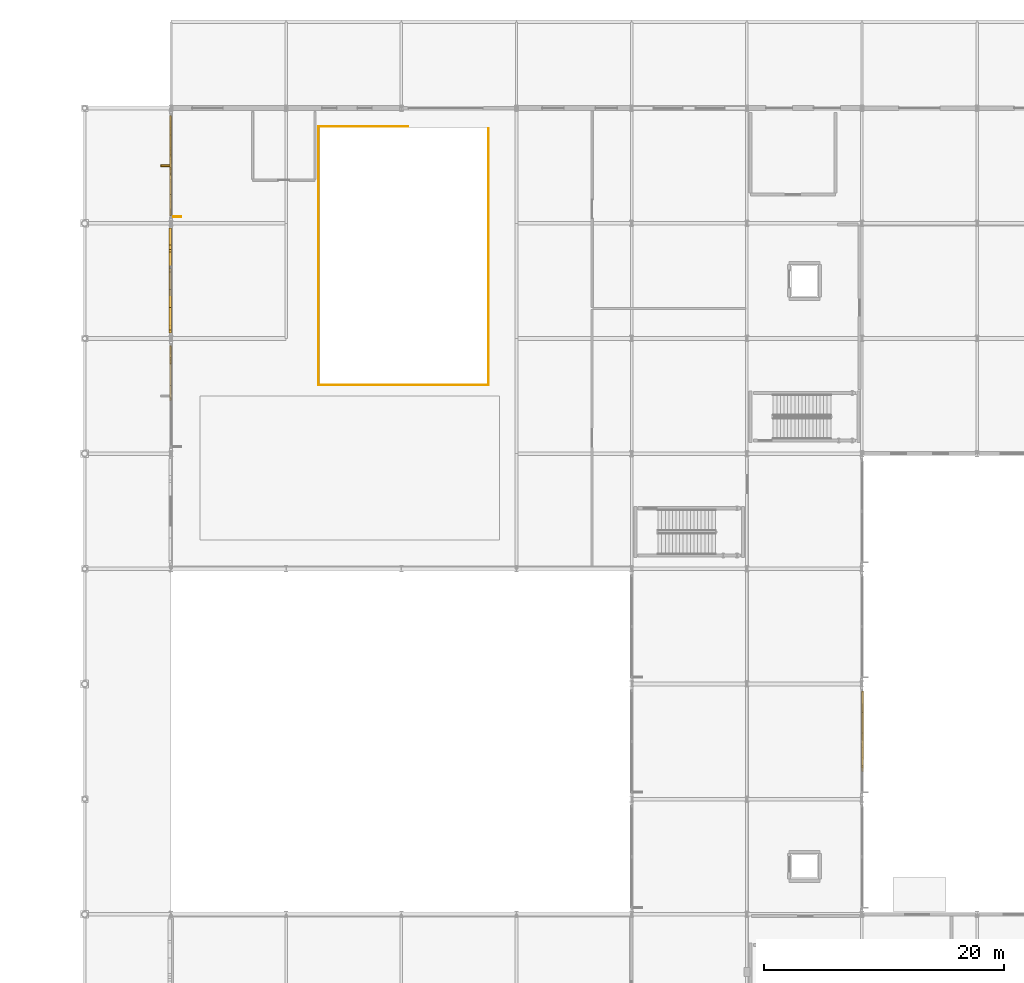
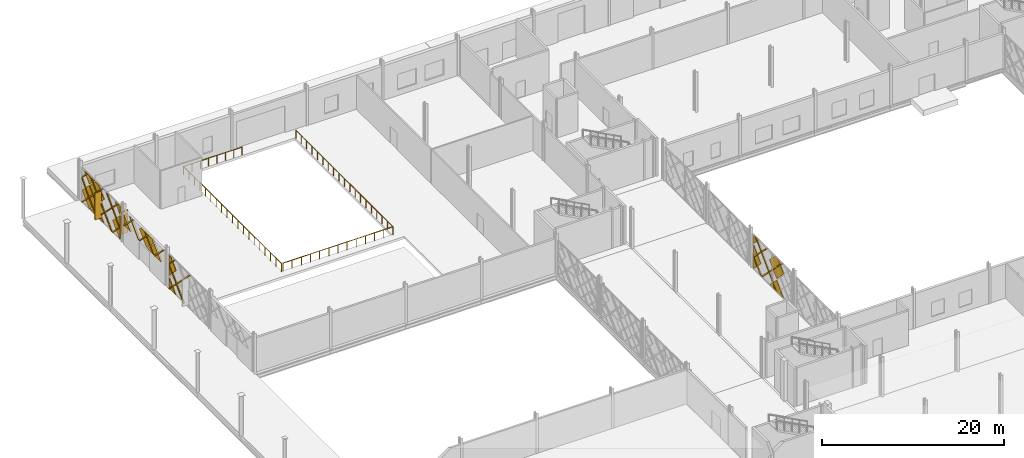
# One storey, part 75 of 84: 35 coverings, 2 railings, 1 shading device.
"""IFC4 building model written with IfcOpenShell, lengths in metres."""

from ifc_helpers import new_model, si_unit, direction, frame, origin, origin_2d, place, context, subcontext, project, spatial, polyline, rectangle, circle, outline, extrude, material, layer, layer_set, type_object, element, save


model = new_model("IFC4")

# Units and contexts
model_context = context("Model", 3, precision=1e-05, world=origin(), true_north=direction((0.0, 1.0)))
body_context = subcontext(model_context, "Body", "Model", "MODEL_VIEW")
ifc_project = project(units=[si_unit("LENGTHUNIT", "METRE"), si_unit("AREAUNIT", "SQUARE_METRE"), si_unit("VOLUMEUNIT", "CUBIC_METRE"), si_unit("PLANEANGLEUNIT", "RADIAN"), si_unit("MASSUNIT", "GRAM", prefix="KILO")], contexts=[model_context])

# Site, building, storey
site_placement = place(None, origin())
site = spatial("IfcSite", under=ifc_project, at=site_placement, CompositionType="ELEMENT")
building_placement = place(site_placement, origin())
building = spatial("IfcBuilding", under=site, at=building_placement, Name="Zevrakil Square Congress Hotel", CompositionType="ELEMENT")
storey_placement = place(building_placement, origin())
storey = spatial("IfcBuildingStorey", under=building, at=storey_placement, Name="L01", CompositionType="ELEMENT", Elevation=0.0)

# Coverings
ifc_material_1 = material(Name="Architectural White Fibre-C GRC", Category="concrete")
ifc_layer_1 = layer(ifc_material_1, 0.06494140625)
ifc_layer_set_1 = layer_set([ifc_layer_1], Name="Architectural White Fibre-C GRC")
covering_type_1 = type_object("IfcCoveringType", Name="COV-DIA-WHITE", PredefinedType="CLADDING", material=ifc_layer_set_1)
covering_1_placement = place(storey_placement, frame((7.10498046875, 91.570068359375, 0.080078125), z_axis=(-0.999999760125, 0.0, 0.000692640526), x_axis=(0.0, 1.0, 0.0)))
element("IfcCovering", 1, at=covering_1_placement, inside=storey, type_object=covering_type_1, Name="L01 45-degree white GRC diamond facade cassette 393", PredefinedType="CLADDING", context=body_context, shape_type="SweptSolid", body=[
    extrude(outline(polyline([(0.0, 0.0), (1.409912109375, 0.0), (1.409912109375, -1.4099124475784228), (0.0, 0.0)])), origin(), (0.0, 0.0, -1.0), 0.1201171875),
])
covering_2_placement = place(storey_placement, frame((7.10693359375, 91.489990234375, 3.360107421875), z_axis=(-0.999999845493, 5.1422077e-05, 0.000553507233), x_axis=(-0.00035502785, 0.707106738874, -0.707106734372)))
element("IfcCovering", 2, at=covering_2_placement, inside=storey, type_object=covering_type_1, Name="L01 45-degree white GRC diamond facade cassette 396", PredefinedType="CLADDING", context=body_context, shape_type="SweptSolid", body=[
    extrude(outline(polyline([(0.0, 0.0), (2.1071645244882204, -2.220446049250313e-16), (0.21579159676622572, -1.8913727052259284), (0.00017237878446152433, -1.6757534620092867), (0.0, 0.0)])), origin(), (0.0, 0.0, -1.0), 0.1201171875),
])
covering_3_placement = place(storey_placement, frame((7.0400390625, 101.389892578125, 2.6298828125), z_axis=(-0.999999760208, 0.0, 0.00069252061), x_axis=(0.0, 1.0, 0.0)))
element("IfcCovering", 3, at=covering_3_placement, inside=storey, type_object=covering_type_1, Name="L01 45-degree white GRC diamond facade cassette 407", PredefinedType="CLADDING", context=body_context, shape_type="SweptSolid", body=[
    extrude(outline(polyline([(0.0, 0.0), (1.41015625, 0.0), (1.41015625, -1.4101565881448694), (0.0, 0.0)])), origin(), (0.0, 0.0, -1.0), 0.199951171875),
])
covering_4_placement = place(storey_placement, frame((7.041015625, 96.179931640625, 4.139892578125), z_axis=(-0.999999790873, 0.0, 0.000646725815), x_axis=(-0.000457304257, -0.707106707249, -0.707106707249)))
element("IfcCovering", 4, at=covering_4_placement, inside=storey, type_object=covering_type_1, Name="L01 45-degree white GRC diamond facade cassette 408", PredefinedType="CLADDING", context=body_context, shape_type="SweptSolid", body=[
    extrude(outline(polyline([(0.0, 0.0), (2.1354765131557993, 0.0), (4.465861884739297e-07, -2.1354765131557527), (0.0, 0.0)])), origin(), (0.0, 0.0, -1.0), 0.199951171875),
])
covering_5_placement = place(storey_placement, frame((7.041015625, 96.27001953125, 4.22998046875), z_axis=(-0.999999784495, 0.0, 0.000656513028), x_axis=(-0.000464224858, 0.707106714826, -0.707106695163)))
element("IfcCovering", 5, at=covering_5_placement, inside=storey, type_object=covering_type_1, Name="L01 45-degree white GRC diamond facade cassette 409", PredefinedType="CLADDING", context=body_context, shape_type="SweptSolid", body=[
    extrude(outline(polyline([(0.0, 0.0), (2.2487240713263743, 2.220446049250313e-16), (2.2485510157725495, -2.2485514378186333), (1.803156542357099, -2.248551461362895), (-1.0714342169038105e-07, -0.4453944734154385), (0.0, 0.0)])), origin(), (0.0, 0.0, -1.0), 0.199951171875),
])
covering_6_placement = place(storey_placement, frame((7.10595703125, 108.919921875, 1.590087890625), z_axis=(-0.999999790873, 0.0, 0.000646725815), x_axis=(-0.000457304257, -0.707106707249, -0.707106707249)))
element("IfcCovering", 6, at=covering_6_placement, inside=storey, type_object=covering_type_1, Name="L01 45-degree white GRC diamond facade cassette 415", PredefinedType="CLADDING", context=body_context, shape_type="SweptSolid", body=[
    extrude(outline(polyline([(0.0, 0.0), (2.1354765131557993, 0.0), (4.465861884739297e-07, -2.1354765131557527), (0.0, 0.0)])), origin(), (0.0, 0.0, -1.0), 0.1201171875),
])
covering_7_placement = place(storey_placement, frame((7.10693359375, 110.60009765625, 3.27001953125), z_axis=(-0.999999812555, 0.0, 0.000612282237), x_axis=(-0.000432948962, -0.707106714509, -0.70710671532)))
element("IfcCovering", 7, at=covering_7_placement, inside=storey, type_object=covering_type_1, Name="L01 45-degree white GRC diamond facade cassette 416", PredefinedType="CLADDING", context=body_context, shape_type="SweptSolid", body=[
    extrude(outline(polyline([(0.0, 0.0), (2.248724072333011, 0.0), (2.24855186294939, -2.2485514388901082), (0.014329002543342684, -2.2485514361636123), (0.0001730575588998473, -2.23439549384887), (0.0, 0.0)])), origin(), (0.0, 0.0, -1.0), 0.1201171875),
])
covering_8_placement = place(storey_placement, frame((7.10498046875, 103.8798828125, 0.090087890625), z_axis=(-0.999999810879, -4.3911e-08, 0.000615014432), x_axis=(0.000434816475, 0.707161000838, 0.707052423678)))
element("IfcCovering", 8, at=covering_8_placement, inside=storey, type_object=covering_type_1, Name="L01 45-degree white GRC diamond facade cassette 417", PredefinedType="CLADDING", context=body_context, shape_type="SweptSolid", body=[
    extrude(outline(polyline([(0.0, 0.0), (2.248551445486479, 2.220446049250313e-16), (2.2483792228853345, -2.248724065739538), (2.1636162000752734, -2.2485449405579088), (-6.494483420688146e-06, -0.08459040258592557), (0.0, 0.0)])), origin(), (0.0, 0.0, -1.0), 0.1201171875),
])
covering_9_placement = place(storey_placement, frame((7.10693359375, 107.330078125, 3.360107421875), z_axis=(-0.999999855951, 0.0, 0.000536746823), x_axis=(-0.000379566476, 0.70705245419, -0.707161002144)))
element("IfcCovering", 9, at=covering_9_placement, inside=storey, type_object=covering_type_1, Name="L01 45-degree white GRC diamond facade cassette 418", PredefinedType="CLADDING", context=body_context, shape_type="SweptSolid", body=[
    extrude(outline(polyline([(0.0, 0.0), (2.2485513494502043, -2.220446049250313e-16), (2.2483784706589205, -2.2487239696604515), (0.5726250295597718, -2.2484227503158793), (-0.00012888718850445624, -1.6755808208469056), (0.0, 0.0)])), origin(), (0.0, 0.0, -1.0), 0.1201171875),
])
covering_10_placement = place(storey_placement, frame((7.107177734375, 110.60009765625, 3.449951171875), z_axis=(-0.999999900573, 0.0, 0.000445930836), x_axis=(0.000315320734, 0.707106746034, 0.707106746034)))
element("IfcCovering", 10, at=covering_10_placement, inside=storey, type_object=covering_type_1, Name="L01 45-degree white GRC diamond facade cassette 419", PredefinedType="CLADDING", context=body_context, shape_type="SweptSolid", body=[
    extrude(outline(polyline([(0.0, 0.0), (1.548522495743182, 1.1102230246251565e-16), (-0.0001724795177161509, -1.5486951292432571), (0.0, 0.0)])), origin(), (0.0, 0.0, -1.0), 0.1201171875),
])
covering_11_placement = place(storey_placement, frame((7.107177734375, 103.8798828125, 3.449951171875), z_axis=(-0.999999899789, 2.2105313e-05, 0.000447138373), x_axis=(0.000331771902, 0.707185562776, 0.707027912977)))
element("IfcCovering", 11, at=covering_11_placement, inside=storey, type_object=covering_type_1, Name="L01 45-degree white GRC diamond facade cassette 420", PredefinedType="CLADDING", context=body_context, shape_type="SweptSolid", body=[
    extrude(outline(polyline([(0.0, 0.0), (1.548695138637387, 0.0), (0.7318750953041733, -0.8166380427072855), (0.0001631845000640078, -0.0847630591991095), (0.0, 0.0)])), origin(), (0.0, 0.0, -1.0), 0.1201171875),
])
covering_12_placement = place(storey_placement, frame((64.89404296875, 59.080078125, 1.590087890625), z_axis=(0.999999790873, 0.0, 0.000646725815), x_axis=(0.000457304257, 0.707106707249, -0.707106707249)))
element("IfcCovering", 12, at=covering_12_placement, inside=storey, type_object=covering_type_1, Name="L01 45-degree white GRC diamond facade cassette 1769", PredefinedType="CLADDING", context=body_context, shape_type="SweptSolid", body=[
    extrude(outline(polyline([(0.0, 0.0), (2.1354765131557993, 0.0), (4.465861884739297e-07, -2.1354765131557527), (0.0, 0.0)])), origin(), (0.0, 0.0, -1.0), 0.1201171875),
])
covering_13_placement = place(storey_placement, frame((64.89501953125, 64.1201171875, 0.090087890625), z_axis=(0.999999810879, 4.3911e-08, 0.000615014432), x_axis=(-0.000434816475, -0.707161000838, 0.707052423678)))
element("IfcCovering", 13, at=covering_13_placement, inside=storey, type_object=covering_type_1, Name="L01 45-degree white GRC diamond facade cassette 1771", PredefinedType="CLADDING", context=body_context, shape_type="SweptSolid", body=[
    extrude(outline(polyline([(0.0, 0.0), (2.248551445486479, 2.220446049250313e-16), (2.2483792228853345, -2.248724065739538), (2.1636162000752734, -2.2485449405579088), (-6.494483420688146e-06, -0.08459040258592557), (0.0, 0.0)])), origin(), (0.0, 0.0, -1.0), 0.1201171875),
])
covering_14_placement = place(storey_placement, frame((64.89306640625, 60.669921875, 3.360107421875), z_axis=(0.999999855951, 0.0, 0.000536746823), x_axis=(0.000379566476, -0.70705245419, -0.707161002144)))
element("IfcCovering", 14, at=covering_14_placement, inside=storey, type_object=covering_type_1, Name="L01 45-degree white GRC diamond facade cassette 1772", PredefinedType="CLADDING", context=body_context, shape_type="SweptSolid", body=[
    extrude(outline(polyline([(0.0, 0.0), (2.2485513494502043, -2.220446049250313e-16), (2.2483784706589205, -2.2487239696604515), (0.5726250295597718, -2.2484227503158793), (-0.00012888718850445624, -1.6755808208469056), (0.0, 0.0)])), origin(), (0.0, 0.0, -1.0), 0.1201171875),
])
covering_15_placement = place(storey_placement, frame((64.892822265625, 64.1201171875, 3.449951171875), z_axis=(0.999999899789, -2.2105313e-05, 0.000447138373), x_axis=(-0.000331771902, -0.707185562776, 0.707027912977)))
element("IfcCovering", 15, at=covering_15_placement, inside=storey, type_object=covering_type_1, Name="L01 45-degree white GRC diamond facade cassette 1774", PredefinedType="CLADDING", context=body_context, shape_type="SweptSolid", body=[
    extrude(outline(polyline([(0.0, 0.0), (1.548695138637387, 0.0), (0.7318750953041733, -0.8166380427072855), (0.0001631845000640078, -0.0847630591991095), (0.0, 0.0)])), origin(), (0.0, 0.0, -1.0), 0.1201171875),
])
ifc_material_2 = material(Name="Anodised Champagne Aluminium", Category="aluminium")
ifc_layer_2 = layer(ifc_material_2, 0.0849609375)
ifc_layer_set_2 = layer_set([ifc_layer_2], Name="Anodised Champagne Aluminium")
covering_type_2 = type_object("IfcCoveringType", Name="COV-DIAGRID-45", PredefinedType="MOLDING", material=ifc_layer_set_2)
covering_16_placement = place(storey_placement, frame((7.08203125, 92.97998046875, 3.35400390625), z_axis=(-0.999999886058, -0.000337358608, 0.000337746822), x_axis=(0.000337746803, 1.13942e-07, 0.999999942964)))
element("IfcCovering", 16, at=covering_16_placement, inside=storey, type_object=covering_type_2, Name="L01 45-degree aluminium diagrid rib 399", PredefinedType="MOLDING", context=body_context, shape_type="SweptSolid", body=[
    extrude(outline(polyline([(0.0, 0.0), (0.21215819102424724, -2.8078904387053947e-24), (1.1909180366757486, -0.9787599570170995), (1.1909180124742424, -1.1911622886802544), (0.0, 0.0)])), origin(), (0.0, 0.0, -1.0), 0.14501953125),
])
covering_17_placement = place(storey_placement, frame((7.080078125, 92.893798828125, 0.080078125), z_axis=(-0.999999892841, -0.000180085904, 0.000426482509), x_axis=(-0.000180085888, 0.999999983785, 7.6803e-08)))
element("IfcCovering", 17, at=covering_17_placement, inside=storey, type_object=covering_type_2, Name="L01 45-degree aluminium diagrid rib 400", PredefinedType="MOLDING", context=body_context, shape_type="SweptSolid", body=[
    extrude(outline(polyline([(0.0, 0.0), (0.08618163922752449, 0.0), (0.08618164890296409, -0.12597655104322877), (-4.252685618629233, -4.464844489289502), (-4.464843818313988, -4.464844489289502), (0.0, 0.0)])), origin(), (0.0, 0.0, -1.0), 0.14501953125),
])
covering_18_placement = place(storey_placement, frame((7.081787109375, 92.97998046875, 3.15380859375), z_axis=(-0.999999586622, -0.00028696407, 0.000862790586), x_axis=(0.000862790646, -8.2254e-08, 0.999999627796)))
element("IfcCovering", 18, at=covering_18_placement, inside=storey, type_object=covering_type_2, Name="L01 45-degree aluminium diagrid rib 403", PredefinedType="MOLDING", context=body_context, shape_type="SweptSolid", body=[
    extrude(outline(polyline([(0.0, 0.0), (0.21240247533526213, 1.3234889800848443e-23), (-3.073730528894704, -3.2861332006295076), (-3.0737305463454954, -3.0739750062399502), (0.0, 0.0)])), origin(), (0.0, 0.0, -1.0), 0.14501953125),
])
covering_19_placement = place(storey_placement, frame((7.014892578125, 102.7138671875, 2.6298828125), z_axis=(-0.999999417886, 0.000393227079, 0.001004789027), x_axis=(0.000393226881, 0.999999922686, -3.9511e-07)))
element("IfcCovering", 19, at=covering_19_placement, inside=storey, type_object=covering_type_2, Name="L01 45-degree aluminium diagrid rib 410", PredefinedType="MOLDING", context=body_context, shape_type="SweptSolid", body=[
    extrude(outline(polyline([(0.0, 0.0), (0.08618163396197238, -4.562418066112793e-24), (0.08618168009353086, -0.12622088471854073), (-1.702881004357207, -1.915039322336141), (-1.9150391910794562, -1.915039322336141), (0.0, 0.0)])), origin(), (0.0, 0.0, -1.0), 0.22509765625),
])
for number, where, z_axis, x_axis, name in (
    (20, (7.014892578125, 99.35400390625, 2.6298828125), (-0.999999796842, 0.0, 0.000637429753), (0.0, 1.0, 0.0), "L01 45-degree aluminium diagrid rib 411"),
    (21, (7.014892578125, 95.993896484375, 2.6298828125), (-0.999999796842, 0.0, 0.000637429753), (0.0, 1.0, 0.0), "L01 45-degree aluminium diagrid rib 412"),
):
    element("IfcCovering", number, at=place(storey_placement, frame(where, z_axis=z_axis, x_axis=x_axis)), inside=storey, type_object=covering_type_2, Name=name, PredefinedType="MOLDING", context=body_context, shape_type="SweptSolid", body=[
        extrude(outline(polyline([(0.0, 0.0), (0.212158203125, 0.0), (-1.702880859375, -1.9150394515562854), (-1.9150390625, -1.9150394515562854), (0.0, 0.0)])), origin(), (0.0, 0.0, -1.0), 0.22509765625),
    ])
covering_20_placement = place(storey_placement, frame((7.01611328125, 101.64111328125, 4.544921875), z_axis=(-0.999999796842, 0.0, 0.000637429753), x_axis=(0.0, -1.0, 0.0)))
element("IfcCovering", 22, at=covering_20_placement, inside=storey, type_object=covering_type_2, Name="L01 45-degree aluminium diagrid rib 413", PredefinedType="MOLDING", context=body_context, shape_type="SweptSolid", body=[
    extrude(outline(polyline([(0.0, 0.0), (0.212158203125, 0.0), (2.127197265625, -1.9150394515562854), (1.9150390625, -1.9150394515562854), (0.0, 0.0)])), origin(), (0.0, 0.0, -1.0), 0.22509765625),
])
covering_21_placement = place(storey_placement, frame((7.01611328125, 98.281005859375, 4.544921875), z_axis=(-0.999999796842, 0.0, 0.000637429753), x_axis=(0.0, -1.0, 0.0)))
element("IfcCovering", 23, at=covering_21_placement, inside=storey, type_object=covering_type_2, Name="L01 45-degree aluminium diagrid rib 414", PredefinedType="MOLDING", context=body_context, shape_type="SweptSolid", body=[
    extrude(outline(polyline([(0.0, 0.0), (0.212158203125, 0.0), (2.127197265625, -1.9150394515562854), (1.914794921875, -1.9150394515562854), (0.0, 0.0)])), origin(), (0.0, 0.0, -1.0), 0.22509765625),
])
covering_22_placement = place(storey_placement, frame((7.08203125, 112.179931640625, 3.35400390625), z_axis=(-0.999999886045, -0.000337571696, 0.000337571696), x_axis=(0.000337571676, 1.13955e-07, 0.999999943023)))
element("IfcCovering", 24, at=covering_22_placement, inside=storey, type_object=covering_type_2, Name="L01 45-degree aluminium diagrid rib 421", PredefinedType="MOLDING", context=body_context, shape_type="SweptSolid", body=[
    extrude(outline(polyline([(0.0, 0.0), (0.21215819103679281, 2.8078904387053947e-24), (1.1909180366053258, -0.9787599571027873), (1.1909180124289107, -1.1909181481395787), (0.0, 0.0)])), origin(), (0.0, 0.0, -1.0), 0.14501953125),
])
covering_23_placement = place(storey_placement, frame((7.080078125, 112.093994140625, 0.080078125), z_axis=(-0.999999892865, -0.000180190457, 0.000426380907), x_axis=(-0.000180190441, 0.999999983766, 7.683e-08)))
element("IfcCovering", 25, at=covering_23_placement, inside=storey, type_object=covering_type_2, Name="L01 45-degree aluminium diagrid rib 422", PredefinedType="MOLDING", context=body_context, shape_type="SweptSolid", body=[
    extrude(outline(polyline([(0.0, 0.0), (0.0859374986048648, 0.0), (0.08593750828361532, -0.1259765510486869), (-4.252929759333611, -4.46484448921009), (-4.465087959014371, -4.46484448921009), (0.0, 0.0)])), origin(), (0.0, 0.0, -1.0), 0.14501953125),
])
covering_24_placement = place(storey_placement, frame((7.080078125, 108.73388671875, 0.080078125), z_axis=(-0.999999819107, 0.0, 0.000601487205), x_axis=(0.0, 1.0, 0.0)))
element("IfcCovering", 26, at=covering_24_placement, inside=storey, type_object=covering_type_2, Name="L01 45-degree aluminium diagrid rib 423", PredefinedType="MOLDING", context=body_context, shape_type="SweptSolid", body=[
    extrude(outline(polyline([(0.0, 0.0), (0.212158203125, 0.0), (-4.252685546875, -4.464844557661115), (-4.465087890625, -4.464844557661115), (0.0, 0.0)])), origin(), (0.0, 0.0, -1.0), 0.14501953125),
])
covering_25_placement = place(storey_placement, frame((7.080078125, 105.373779296875, 0.080078125), z_axis=(-0.999999913469, -0.000294160881, 0.000294160881), x_axis=(-0.000294160868, 0.999999956735, 8.6531e-08)))
element("IfcCovering", 27, at=covering_25_placement, inside=storey, type_object=covering_type_2, Name="L01 45-degree aluminium diagrid rib 424", PredefinedType="MOLDING", context=body_context, shape_type="SweptSolid", body=[
    extrude(outline(polyline([(0.0, 0.0), (0.21240233456034616, 2.81112161297318e-24), (-1.5537110047217924, -1.7661134921050472), (-1.5537110231011004, -1.5537111575447018), (0.0, 0.0)])), origin(), (0.0, 0.0, -1.0), 0.14501953125),
])
covering_26_placement = place(storey_placement, frame((7.081787109375, 112.179931640625, 3.15380859375), z_axis=(-0.999999586815, -0.000286804656, 0.000862620157), x_axis=(0.000862620216, -8.2257e-08, 0.999999627943)))
element("IfcCovering", 28, at=covering_26_placement, inside=storey, type_object=covering_type_2, Name="L01 45-degree aluminium diagrid rib 425", PredefinedType="MOLDING", context=body_context, shape_type="SweptSolid", body=[
    extrude(outline(polyline([(0.0, 0.0), (0.21240247532488296, 0.0), (-3.0737305290449033, -3.2861332004890165), (-3.073730546516453, -3.0737308654747975), (0.0, 0.0)])), origin(), (0.0, 0.0, -1.0), 0.14501953125),
])
covering_27_placement = place(storey_placement, frame((7.082763671875, 110.211181640625, 4.544921875), z_axis=(-0.999999819107, 0.0, 0.000601487205), x_axis=(0.0, -1.0, 0.0)))
element("IfcCovering", 29, at=covering_27_placement, inside=storey, type_object=covering_type_2, Name="L01 45-degree aluminium diagrid rib 426", PredefinedType="MOLDING", context=body_context, shape_type="SweptSolid", body=[
    extrude(outline(polyline([(0.0, 0.0), (0.21240234375, 0.0), (4.67724609375, -4.464844557661115), (4.465087890625, -4.464844557661115), (0.0, 0.0)])), origin(), (0.0, 0.0, -1.0), 0.14501953125),
])
covering_28_placement = place(storey_placement, frame((7.082763671875, 106.85107421875, 4.544921875), z_axis=(-0.999999570971, -0.000262365241, 0.000888382251), x_axis=(0.000262365138, -0.999999965582, -2.33081e-07)))
element("IfcCovering", 30, at=covering_28_placement, inside=storey, type_object=covering_type_2, Name="L01 45-degree aluminium diagrid rib 427", PredefinedType="MOLDING", context=body_context, shape_type="SweptSolid", body=[
    extrude(outline(polyline([(0.0, 0.0), (0.21215819582298975, 0.0), (3.031005963695437, -2.8188480621314063), (3.0310059490914165, -3.03100639842652), (0.0, 0.0)])), origin(), (0.0, 0.0, -1.0), 0.14501953125),
])
covering_29_placement = place(storey_placement, frame((64.919921875, 59.26611328125, 0.080078125), z_axis=(0.999999819107, 0.0, 0.000601487205), x_axis=(0.0, -1.0, 0.0)))
element("IfcCovering", 31, at=covering_29_placement, inside=storey, type_object=covering_type_2, Name="L01 45-degree aluminium diagrid rib 1777", PredefinedType="MOLDING", context=body_context, shape_type="SweptSolid", body=[
    extrude(outline(polyline([(0.0, 0.0), (0.212158203125, 0.0), (-4.252685546875, -4.464844557661115), (-4.465087890625, -4.464844557661115), (0.0, 0.0)])), origin(), (0.0, 0.0, -1.0), 0.14501953125),
])
covering_30_placement = place(storey_placement, frame((64.919921875, 62.626220703125, 0.080078125), z_axis=(0.999999913469, 0.000294160881, 0.000294160881), x_axis=(0.000294160868, -0.999999956735, 8.6531e-08)))
element("IfcCovering", 32, at=covering_30_placement, inside=storey, type_object=covering_type_2, Name="L01 45-degree aluminium diagrid rib 1778", PredefinedType="MOLDING", context=body_context, shape_type="SweptSolid", body=[
    extrude(outline(polyline([(0.0, 0.0), (0.21240233456034616, 2.81112161297318e-24), (-1.5537110047217924, -1.7661134921050472), (-1.5537110231011004, -1.5537111575447018), (0.0, 0.0)])), origin(), (0.0, 0.0, -1.0), 0.14501953125),
])
covering_31_placement = place(storey_placement, frame((64.917236328125, 57.788818359375, 4.544921875), z_axis=(0.999999819107, 0.0, 0.000601487205), x_axis=(0.0, 1.0, 0.0)))
element("IfcCovering", 33, at=covering_31_placement, inside=storey, type_object=covering_type_2, Name="L01 45-degree aluminium diagrid rib 1780", PredefinedType="MOLDING", context=body_context, shape_type="SweptSolid", body=[
    extrude(outline(polyline([(0.0, 0.0), (0.21240234375, 0.0), (4.67724609375, -4.464844557661115), (4.465087890625, -4.464844557661115), (0.0, 0.0)])), origin(), (0.0, 0.0, -1.0), 0.14501953125),
])
covering_32_placement = place(storey_placement, frame((64.917236328125, 61.14892578125, 4.544921875), z_axis=(0.999999570971, 0.000262365241, 0.000888382251), x_axis=(-0.000262365138, 0.999999965582, -2.33081e-07)))
element("IfcCovering", 34, at=covering_32_placement, inside=storey, type_object=covering_type_2, Name="L01 45-degree aluminium diagrid rib 1781", PredefinedType="MOLDING", context=body_context, shape_type="SweptSolid", body=[
    extrude(outline(polyline([(0.0, 0.0), (0.21215819582298975, 0.0), (3.031005963695437, -2.8188480621314063), (3.0310059490914165, -3.03100639842652), (0.0, 0.0)])), origin(), (0.0, 0.0, -1.0), 0.14501953125),
])
ifc_material_3 = material(Name="Architectural White Fibre-C GRC", Category="concrete")
ifc_layer_3 = layer(ifc_material_3, 0.139892578125)
ifc_layer_set_3 = layer_set([ifc_layer_3], Name="Architectural White Fibre-C GRC")
covering_type_3 = type_object("IfcCoveringType", Name="COV-FIN-GRC90", PredefinedType="MOLDING", material=ifc_layer_set_3)
covering_33_placement = place(storey_placement, frame((6.780029296875, 108.0, 0.512451171875), z_axis=(0.0, 0.0, 1.0), x_axis=(-1.0, 0.0, 0.0)))
element("IfcCovering", 35, at=covering_33_placement, inside=storey, type_object=covering_type_3, Name="L01 highland sun-breaker GRC fin 428", PredefinedType="MOLDING", context=body_context, shape_type="SweptSolid", body=[
    extrude(rectangle(XDim=0.89990234375, YDim=0.139892578125, at=origin_2d()), origin(), (0.0, 0.0, 1.0), 3.60009765625),
])

# Railings
ifc_material_4 = material(Name="Steel S355", Category="steel")
railing_type = type_object("IfcRailingType", Name="RLG-TERR-1100", PredefinedType="BALUSTRADE", material=ifc_material_4)
railing_1_placement = place(storey_placement, frame((26.949951171875, 111.280029296875, 0.0)))
element("IfcRailing", 36, at=railing_1_placement, inside=storey, type_object=railing_type, Name="L01 terrace and void safety balustrade guard 13", PredefinedType="BALUSTRADE", context=body_context, shape_type="SweptSolid", body=[
    extrude(circle(Radius=0.02392578125, at=origin_2d()), frame((0.0, 0.0, 1.076171875), z_axis=(-1.0, 0.0, 0.0), x_axis=(0.0, -1.0, 0.0)), (0.0, 0.0, 1.0), 7.449951171875),
    extrude(circle(Radius=0.02392578125, at=origin_2d()), frame((-7.449951171875, 0.0, 1.076171875), z_axis=(0.0, -1.0, 0.0), x_axis=(1.0, 0.0, 0.0)), (0.0, 0.0, 1.0), 21.56005859375),
    extrude(circle(Radius=0.02099609375, at=origin_2d()), origin(), (0.0, 0.0, 1.0), 1.052001953125),
    extrude(circle(Radius=0.02099609375, at=origin_2d()), frame((-1.064208984375, 0.0, 0.0)), (0.0, 0.0, 1.0), 1.052001953125),
    extrude(circle(Radius=0.02099609375, at=origin_2d()), frame((-2.128662109375, 0.0, 0.0)), (0.0, 0.0, 1.0), 1.052001953125),
    extrude(circle(Radius=0.02099609375, at=origin_2d()), frame((-3.19287109375, 0.0, 0.0)), (0.0, 0.0, 1.0), 1.052001953125),
    extrude(circle(Radius=0.02099609375, at=origin_2d()), frame((-4.257080078125, 0.0, 0.0)), (0.0, 0.0, 1.0), 1.052001953125),
    extrude(circle(Radius=0.02099609375, at=origin_2d()), frame((-5.3212890625, 0.0, 0.0)), (0.0, 0.0, 1.0), 1.052001953125),
    extrude(circle(Radius=0.02099609375, at=origin_2d()), frame((-6.3857421875, 0.0, 0.0)), (0.0, 0.0, 1.0), 1.052001953125),
    extrude(circle(Radius=0.02099609375, at=origin_2d()), frame((-7.449951171875, 0.0, 0.0)), (0.0, 0.0, 1.0), 1.052001953125),
    extrude(circle(Radius=0.02099609375, at=origin_2d()), frame((-7.449951171875, -1.19775390625, 0.0)), (0.0, 0.0, 1.0), 1.052001953125),
    extrude(circle(Radius=0.02099609375, at=origin_2d()), frame((-7.449951171875, -2.3955078125, 0.0)), (0.0, 0.0, 1.0), 1.052001953125),
    extrude(circle(Radius=0.02099609375, at=origin_2d()), frame((-7.449951171875, -3.59326171875, 0.0)), (0.0, 0.0, 1.0), 1.052001953125),
    extrude(circle(Radius=0.02099609375, at=origin_2d()), frame((-7.449951171875, -4.791015625, 0.0)), (0.0, 0.0, 1.0), 1.052001953125),
    extrude(circle(Radius=0.02099609375, at=origin_2d()), frame((-7.449951171875, -5.989013671875, 0.0)), (0.0, 0.0, 1.0), 1.052001953125),
    extrude(circle(Radius=0.02099609375, at=origin_2d()), frame((-7.449951171875, -7.186767578125, 0.0)), (0.0, 0.0, 1.0), 1.052001953125),
    extrude(circle(Radius=0.02099609375, at=origin_2d()), frame((-7.449951171875, -8.384521484375, 0.0)), (0.0, 0.0, 1.0), 1.052001953125),
    extrude(circle(Radius=0.02099609375, at=origin_2d()), frame((-7.449951171875, -9.582275390625, 0.0)), (0.0, 0.0, 1.0), 1.052001953125),
    extrude(circle(Radius=0.02099609375, at=origin_2d()), frame((-7.449951171875, -10.780029296875, 0.0)), (0.0, 0.0, 1.0), 1.052001953125),
    extrude(circle(Radius=0.02099609375, at=origin_2d()), frame((-7.449951171875, -11.977783203125, 0.0)), (0.0, 0.0, 1.0), 1.052001953125),
    extrude(circle(Radius=0.02099609375, at=origin_2d()), frame((-7.449951171875, -13.175537109375, 0.0)), (0.0, 0.0, 1.0), 1.052001953125),
    extrude(circle(Radius=0.02099609375, at=origin_2d()), frame((-7.449951171875, -14.373291015625, 0.0)), (0.0, 0.0, 1.0), 1.052001953125),
    extrude(circle(Radius=0.02099609375, at=origin_2d()), frame((-7.449951171875, -15.571044921875, 0.0)), (0.0, 0.0, 1.0), 1.052001953125),
    extrude(circle(Radius=0.02099609375, at=origin_2d()), frame((-7.449951171875, -16.76904296875, 0.0)), (0.0, 0.0, 1.0), 1.052001953125),
    extrude(circle(Radius=0.02099609375, at=origin_2d()), frame((-7.449951171875, -17.966796875, 0.0)), (0.0, 0.0, 1.0), 1.052001953125),
    extrude(circle(Radius=0.02099609375, at=origin_2d()), frame((-7.449951171875, -19.16455078125, 0.0)), (0.0, 0.0, 1.0), 1.052001953125),
    extrude(circle(Radius=0.02099609375, at=origin_2d()), frame((-7.449951171875, -20.3623046875, 0.0)), (0.0, 0.0, 1.0), 1.052001953125),
    extrude(circle(Radius=0.02099609375, at=origin_2d()), frame((-7.449951171875, -21.56005859375, 0.0)), (0.0, 0.0, 1.0), 1.052001953125),
])
railing_2_placement = place(storey_placement, frame((19.699951171875, 89.719970703125, 0.0)))
element("IfcRailing", 37, at=railing_2_placement, inside=storey, type_object=railing_type, Name="L01 terrace and void safety balustrade guard 14", PredefinedType="BALUSTRADE", context=body_context, shape_type="SweptSolid", body=[
    extrude(circle(Radius=0.02392578125, at=origin_2d()), frame((0.0, 0.0, 1.076171875), z_axis=(1.0, 0.0, 0.0), x_axis=(0.0, 1.0, 0.0)), (0.0, 0.0, 1.0), 13.97998046875),
    extrude(circle(Radius=0.02392578125, at=origin_2d()), frame((13.97998046875, 0.0, 1.076171875), z_axis=(0.0, 1.0, 0.0), x_axis=(-1.0, 0.0, 0.0)), (0.0, 0.0, 1.0), 21.380126953125),
    extrude(circle(Radius=0.02099609375, at=origin_2d()), origin(), (0.0, 0.0, 1.0), 1.052001953125),
    extrude(circle(Radius=0.02099609375, at=origin_2d()), frame((1.1650390625, 0.0, 0.0)), (0.0, 0.0, 1.0), 1.052001953125),
    extrude(circle(Radius=0.02099609375, at=origin_2d()), frame((2.330078125, 0.0, 0.0)), (0.0, 0.0, 1.0), 1.052001953125),
    extrude(circle(Radius=0.02099609375, at=origin_2d()), frame((3.4951171875, 0.0, 0.0)), (0.0, 0.0, 1.0), 1.052001953125),
    extrude(circle(Radius=0.02099609375, at=origin_2d()), frame((4.659912109375, 0.0, 0.0)), (0.0, 0.0, 1.0), 1.052001953125),
    extrude(circle(Radius=0.02099609375, at=origin_2d()), frame((5.824951171875, 0.0, 0.0)), (0.0, 0.0, 1.0), 1.052001953125),
    extrude(circle(Radius=0.02099609375, at=origin_2d()), frame((6.989990234375, 0.0, 0.0)), (0.0, 0.0, 1.0), 1.052001953125),
    extrude(circle(Radius=0.02099609375, at=origin_2d()), frame((8.155029296875, 0.0, 0.0)), (0.0, 0.0, 1.0), 1.052001953125),
    extrude(circle(Radius=0.02099609375, at=origin_2d()), frame((9.320068359375, 0.0, 0.0)), (0.0, 0.0, 1.0), 1.052001953125),
    extrude(circle(Radius=0.02099609375, at=origin_2d()), frame((10.48486328125, 0.0, 0.0)), (0.0, 0.0, 1.0), 1.052001953125),
    extrude(circle(Radius=0.02099609375, at=origin_2d()), frame((11.64990234375, 0.0, 0.0)), (0.0, 0.0, 1.0), 1.052001953125),
    extrude(circle(Radius=0.02099609375, at=origin_2d()), frame((12.81494140625, 0.0, 0.0)), (0.0, 0.0, 1.0), 1.052001953125),
    extrude(circle(Radius=0.02099609375, at=origin_2d()), frame((13.97998046875, 0.0, 0.0)), (0.0, 0.0, 1.0), 1.052001953125),
    extrude(circle(Radius=0.02099609375, at=origin_2d()), frame((13.97998046875, 1.187744140625, 0.0)), (0.0, 0.0, 1.0), 1.052001953125),
    extrude(circle(Radius=0.02099609375, at=origin_2d()), frame((13.97998046875, 2.37548828125, 0.0)), (0.0, 0.0, 1.0), 1.052001953125),
    extrude(circle(Radius=0.02099609375, at=origin_2d()), frame((13.97998046875, 3.5634765625, 0.0)), (0.0, 0.0, 1.0), 1.052001953125),
    extrude(circle(Radius=0.02099609375, at=origin_2d()), frame((13.97998046875, 4.751220703125, 0.0)), (0.0, 0.0, 1.0), 1.052001953125),
    extrude(circle(Radius=0.02099609375, at=origin_2d()), frame((13.97998046875, 5.93896484375, 0.0)), (0.0, 0.0, 1.0), 1.052001953125),
    extrude(circle(Radius=0.02099609375, at=origin_2d()), frame((13.97998046875, 7.126708984375, 0.0)), (0.0, 0.0, 1.0), 1.052001953125),
    extrude(circle(Radius=0.02099609375, at=origin_2d()), frame((13.97998046875, 8.314453125, 0.0)), (0.0, 0.0, 1.0), 1.052001953125),
    extrude(circle(Radius=0.02099609375, at=origin_2d()), frame((13.97998046875, 9.502197265625, 0.0)), (0.0, 0.0, 1.0), 1.052001953125),
    extrude(circle(Radius=0.02099609375, at=origin_2d()), frame((13.97998046875, 10.68994140625, 0.0)), (0.0, 0.0, 1.0), 1.052001953125),
    extrude(circle(Radius=0.02099609375, at=origin_2d()), frame((13.97998046875, 11.8779296875, 0.0)), (0.0, 0.0, 1.0), 1.052001953125),
    extrude(circle(Radius=0.02099609375, at=origin_2d()), frame((13.97998046875, 13.065673828125, 0.0)), (0.0, 0.0, 1.0), 1.052001953125),
    extrude(circle(Radius=0.02099609375, at=origin_2d()), frame((13.97998046875, 14.25341796875, 0.0)), (0.0, 0.0, 1.0), 1.052001953125),
    extrude(circle(Radius=0.02099609375, at=origin_2d()), frame((13.97998046875, 15.441162109375, 0.0)), (0.0, 0.0, 1.0), 1.052001953125),
    extrude(circle(Radius=0.02099609375, at=origin_2d()), frame((13.97998046875, 16.62890625, 0.0)), (0.0, 0.0, 1.0), 1.052001953125),
    extrude(circle(Radius=0.02099609375, at=origin_2d()), frame((13.97998046875, 17.81689453125, 0.0)), (0.0, 0.0, 1.0), 1.052001953125),
    extrude(circle(Radius=0.02099609375, at=origin_2d()), frame((13.97998046875, 19.004638671875, 0.0)), (0.0, 0.0, 1.0), 1.052001953125),
    extrude(circle(Radius=0.02099609375, at=origin_2d()), frame((13.97998046875, 20.1923828125, 0.0)), (0.0, 0.0, 1.0), 1.052001953125),
    extrude(circle(Radius=0.02099609375, at=origin_2d()), frame((13.97998046875, 21.380126953125, 0.0)), (0.0, 0.0, 1.0), 1.052001953125),
])

# Shading device
ifc_material_5 = material(Name="Aluminium Anodised Bronze", Category="aluminium")
shading_device_type = type_object("IfcShadingDeviceType", Name="SHD-FIN-85", PredefinedType="USERDEFINED", material=ifc_material_5)
shading_device_placement = place(storey_placement, frame((7.64501953125, 103.760009765625, 0.8125), z_axis=(0.0, 0.0, 1.0), x_axis=(1.0, 0.0, 0.0)))
element("IfcShadingDevice", 38, at=shading_device_placement, inside=storey, type_object=shading_device_type, Name="L01 aluminium solar shading fin 22", ObjectType="SOLAR FIN", PredefinedType="USERDEFINED", context=body_context, shape_type="SweptSolid", body=[
    extrude(rectangle(XDim=0.85009765625, YDim=0.080078125, at=origin_2d()), origin(), (0.0, 0.0, 1.0), 3.0),
])

save(model, "model.ifc")
